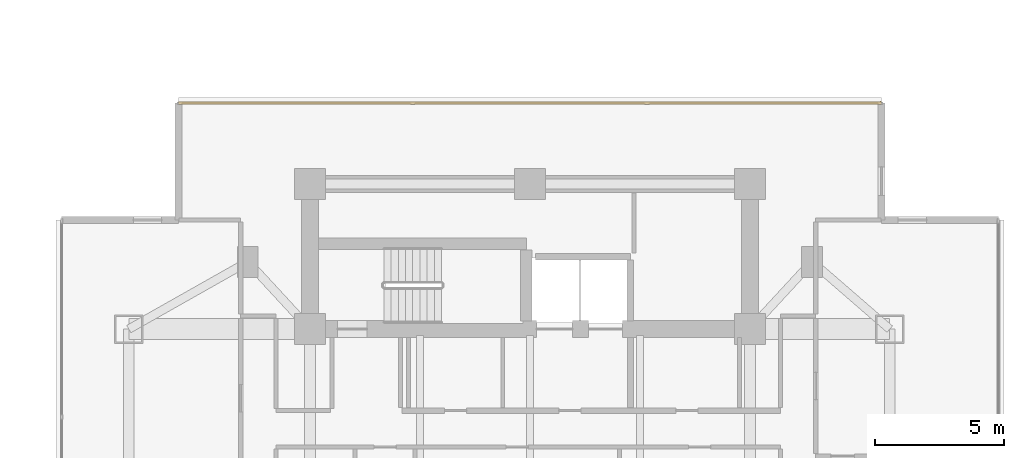
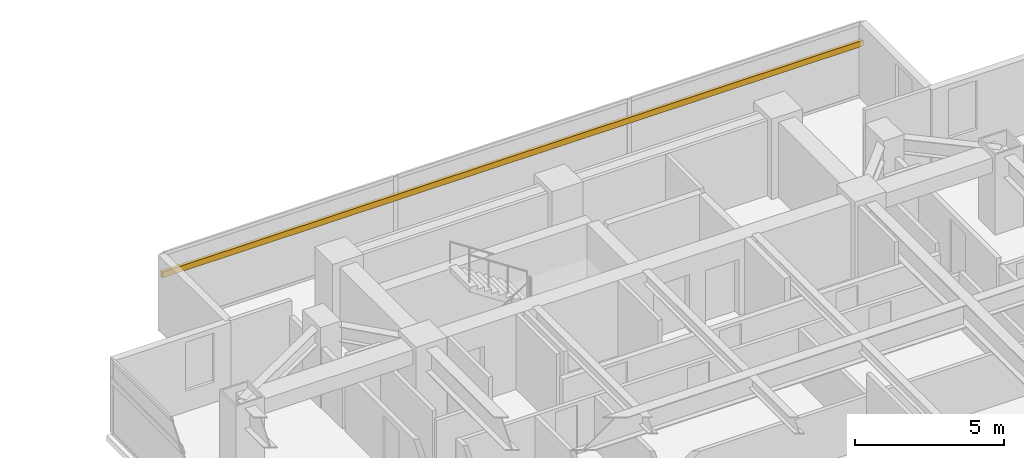
# One storey, part 24 of 24: 1 shading device.
"""IFC4 building model written with IfcOpenShell, lengths in metres."""

from ifc_helpers import new_model, si_unit, direction, frame, origin, origin_2d, place, context, subcontext, project, spatial, rectangle, extrude, material, material_profile, profile_set, type_object, element, save


model = new_model("IFC4")

# Units and contexts
model_context = context("Model", 3, precision=1e-05, world=origin(), true_north=direction((0.0, 1.0)))
body_context = subcontext(model_context, "Body", "Model", "MODEL_VIEW")
ifc_project = project(units=[si_unit("LENGTHUNIT", "METRE"), si_unit("AREAUNIT", "SQUARE_METRE"), si_unit("VOLUMEUNIT", "CUBIC_METRE"), si_unit("PLANEANGLEUNIT", "RADIAN"), si_unit("MASSUNIT", "GRAM", prefix="KILO")], contexts=[model_context])

# Site, building, storey
site_placement = place(None, origin())
site = spatial("IfcSite", under=ifc_project, at=site_placement, CompositionType="ELEMENT")
building_placement = place(site_placement, origin())
building = spatial("IfcBuilding", under=site, at=building_placement, Name="Mirazonda Arch Towers", CompositionType="ELEMENT")
storey_placement = place(building_placement, frame((0.0, 0.0, 101.60009765625)))
storey = spatial("IfcBuildingStorey", under=building, at=storey_placement, Name="L28", CompositionType="ELEMENT", Elevation=101.60009765625)

# Shading device
ifc_material = material(Name="Kiln-Fired Architectural Terracotta", Category="masonry")
ifc_material_profile = material_profile(ifc_material, rectangle(XDim=0.1201171875, YDim=0.239990234375, at=origin_2d()), Name="TERRA-BAG-120x240")
ifc_profile_set = profile_set([ifc_material_profile], Name="Kiln-Fired Architectural Terracotta")
shading_device_type = type_object("IfcShadingDeviceType", Name="BAGUETTE-1", PredefinedType="USERDEFINED", material=ifc_profile_set)
shading_device_placement = place(storey_placement, frame((62.921875, 43.9306640625, 2.203125), z_axis=(1.0, 0.0, 0.0), x_axis=(0.0, 1.0, 0.0)))
element("IfcShadingDevice", 1, at=shading_device_placement, inside=storey, type_object=shading_device_type, Name="L28 Glazed Terracotta Sun-Screen Baguette CW-L28-T2-N", ObjectType="BAGUETTE", PredefinedType="USERDEFINED", context=body_context, shape_type="SweptSolid", body=[
    extrude(rectangle(XDim=0.1201171875, YDim=0.239990234375, at=origin_2d()), origin(), (0.0, 0.0, 1.0), 27.15625),
])

save(model, "model.ifc")
